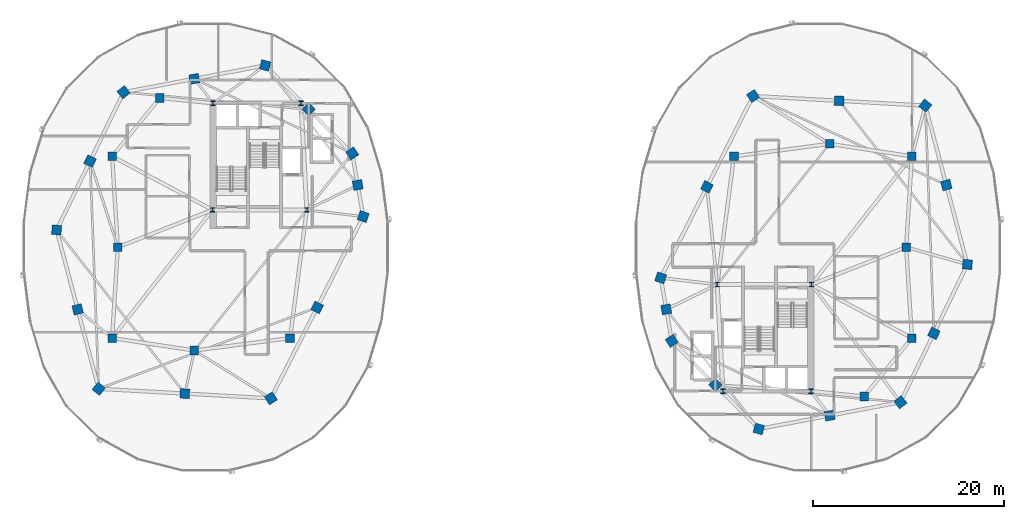
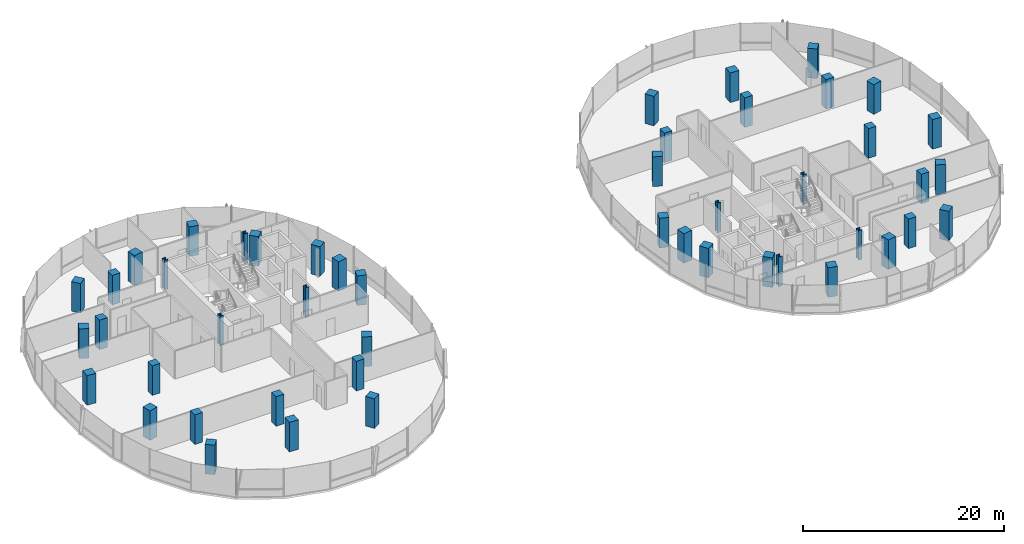
# One storey, part 1 of 22: 48 columns.
"""IFC4 building model written with IfcOpenShell, lengths in metres."""

from ifc_helpers import new_model, si_unit, direction, frame, origin, origin_2d, place, context, subcontext, project, spatial, rectangle, i_section, extrude, material, material_profile, profile_set, type_object, element, save


model = new_model("IFC4")

# Units and contexts
model_context = context("Model", 3, precision=1e-05, world=origin(), true_north=direction((0.0, 1.0)))
body_context = subcontext(model_context, "Body", "Model", "MODEL_VIEW")
ifc_project = project(units=[si_unit("LENGTHUNIT", "METRE"), si_unit("AREAUNIT", "SQUARE_METRE"), si_unit("VOLUMEUNIT", "CUBIC_METRE"), si_unit("PLANEANGLEUNIT", "RADIAN"), si_unit("MASSUNIT", "GRAM", prefix="KILO"), si_unit("THERMODYNAMICTEMPERATUREUNIT", "KELVIN"), si_unit("POWERUNIT", "WATT")], contexts=[model_context])

# Site, building, storey
site_placement = place(None, origin())
site = spatial("IfcSite", under=ifc_project, at=site_placement, CompositionType="ELEMENT")
building_placement = place(site_placement, origin())
building = spatial("IfcBuilding", under=site, at=building_placement, Name="Cundina Bronze Exchange", CompositionType="ELEMENT")
storey_placement = place(building_placement, frame((0.0, 0.0, 158.39990234375)))
storey = spatial("IfcBuildingStorey", under=building, at=storey_placement, Name="L41", CompositionType="ELEMENT", Elevation=158.39990234375)

# Columns
ifc_material_1 = material(Name="Steel ASTM A992 Grade 50", Category="steel")
ifc_material_profile_1 = material_profile(ifc_material_1, i_section(OverallWidth=0.431884765625, OverallDepth=0.498046875, WebThickness=0.0556640625, FlangeThickness=0.0888671875, FilletRadius=0.01806640625, at=origin_2d()), Name="W14X500", Category="steel")
ifc_profile_set_1 = profile_set([ifc_material_profile_1], Name="Steel ASTM A992 Grade 50")
column_type_1 = type_object("IfcColumnType", Name="COL-STL-W14A", PredefinedType="COLUMN", material=ifc_profile_set_1)
for number, where, z_axis, x_axis, name in (
    (1, (-31.300048828125, 3.89990234375, 0.0), (0.0, 0.0, 1.0), (1.0, 0.0, 0.0), "L41 Core Anchor Column W1"),
    (2, (-21.449951171875, 3.89990234375, 0.0), (0.0, 0.0, 1.0), (1.0, 0.0, 0.0), "L41 Core Anchor Column W2"),
    (3, (-22.050048828125, 15.050048828125, 0.0), (0.0, 0.0, 1.0), (1.0, 0.0, 0.0), "L41 Core Anchor Column W3"),
    (4, (-31.25, 15.050048828125, 0.0), (0.0, 0.0, 1.0), (1.0, 0.0, 0.0), "L41 Core Anchor Column W4"),
    (5, (31.300048828125, -3.89990234375, 0.0), (0.0, 0.0, 1.0), (1.0, 0.0, 0.0), "L41 Core Anchor Column E1"),
    (6, (21.449951171875, -3.89990234375, 0.0), (0.0, 0.0, 1.0), (1.0, 0.0, 0.0), "L41 Core Anchor Column E2"),
    (7, (22.050048828125, -15.050048828125, 0.0), (0.0, 0.0, 1.0), (1.0, 0.0, 0.0), "L41 Core Anchor Column E3"),
    (8, (31.25, -15.050048828125, 0.0), (0.0, 0.0, 1.0), (1.0, 0.0, 0.0), "L41 Core Anchor Column E4"),
):
    element("IfcColumn", number, at=place(storey_placement, frame(where, z_axis=z_axis, x_axis=x_axis)), inside=storey, type_object=column_type_1, Name=name, PredefinedType="COLUMN", context=body_context, shape_type="SweptSolid", body=[
        extrude(i_section(OverallWidth=0.431884765625, OverallDepth=0.498046875, WebThickness=0.0556640625, FlangeThickness=0.0888671875, FilletRadius=0.01806640625, at=origin_2d()), origin(), (0.0, 0.0, 1.0), 3.60009765625),
    ])
ifc_material_2 = material(Name="Concrete C50/60", Category="concrete")
ifc_material_profile_2 = material_profile(ifc_material_2, rectangle(XDim=1.0, YDim=1.0, at=origin_2d()), Name="RC1000X1000", Category="concrete")
ifc_profile_set_2 = profile_set([ifc_material_profile_2], Name="Concrete C50/60")
column_type_2 = type_object("IfcColumnType", Name="COL-Z3-1000", PredefinedType="COLUMN", material=ifc_profile_set_2)
for number, where, z_axis, x_axis, name in (
    (9, (-15.550048828125, 3.199951171875, 0.0), (0.0, 0.0, 1.0), (0.315152163383, 0.949041155016, 0.0), "L41 W Perimeter Column 00"),
    (10, (-16.125, 6.5, 0.0), (0.0, 0.0, 1.0), (-0.171585221787, 0.985169280715, 0.0), "L41 W Perimeter Column 01"),
    (11, (-16.699951171875, 9.800048828125, 0.0), (0.0, 0.0, 1.0), (-0.544199833495, 0.838955625301, 0.0), "L41 W Perimeter Column 02"),
    (12, (-21.25, 14.39990234375, 0.0), (0.0, 0.0, 1.0), (-0.703270634186, 0.710922228581, 0.0), "L41 W Perimeter Column 03"),
    (13, (-25.800048828125, 19.0, 0.0), (0.0, 0.0, 1.0), (-0.965970984022, 0.258650455301, 0.0), "L41 W Perimeter Column 04"),
    (14, (-33.199951171875, 17.60009765625, 0.0), (0.0, 0.0, 1.0), (-0.98258037664, -0.185838110843, 0.0), "L41 W Perimeter Column 05"),
    (15, (-40.60009765625, 16.199951171875, 0.0), (0.0, 0.0, 1.0), (-0.785100778485, -0.619368038909, 0.0), "L41 W Perimeter Column 06"),
    (16, (-44.10009765625, 9.0, 0.0), (0.0, 0.0, 1.0), (-0.437115766651, -0.899405251566, 0.0), "L41 W Perimeter Column 07"),
    (17, (-47.60009765625, 1.800048828125, 0.0), (0.0, 0.0, 1.0), (-0.083503921245, -0.996507448611, 0.0), "L41 W Perimeter Column 08"),
    (18, (-45.39990234375, -6.5, 0.0), (0.0, 0.0, 1.0), (0.256289373133, -0.966600102017, 0.0), "L41 W Perimeter Column 09"),
    (19, (-43.199951171875, -14.800048828125, 0.0), (0.0, 0.0, 1.0), (0.786288432137, -0.61785961309, 0.0), "L41 W Perimeter Column 10"),
    (20, (-34.199951171875, -15.300048828125, 0.0), (0.0, 0.0, 1.0), (0.998460188734, -0.055472980025, 0.0), "L41 W Perimeter Column 11"),
    (21, (-25.199951171875, -15.800048828125, 0.0), (0.0, 0.0, 1.0), (0.838099763533, 0.545516989988, 0.0), "L41 W Perimeter Column 12"),
    (22, (-20.375, -6.300048828125, 0.0), (0.0, 0.0, 1.0), (0.452901591366, 0.891560513111, 0.0), "L41 W Perimeter Column 13"),
    (23, (15.550048828125, -3.199951171875, 0.0), (0.0, 0.0, 1.0), (-0.315152163383, -0.949041155016, 0.0), "L41 E Perimeter Column 00"),
    (24, (16.125, -6.5, 0.0), (0.0, 0.0, 1.0), (0.171585221787, -0.985169280715, 0.0), "L41 E Perimeter Column 01"),
    (25, (16.699951171875, -9.800048828125, 0.0), (0.0, 0.0, 1.0), (0.544199833495, -0.838955625301, 0.0), "L41 E Perimeter Column 02"),
    (26, (21.25, -14.39990234375, 0.0), (0.0, 0.0, 1.0), (0.703270634186, -0.710922228581, 0.0), "L41 E Perimeter Column 03"),
    (27, (25.800048828125, -19.0, 0.0), (0.0, 0.0, 1.0), (0.965970984022, -0.258650455301, 0.0), "L41 E Perimeter Column 04"),
    (28, (33.199951171875, -17.60009765625, 0.0), (0.0, 0.0, 1.0), (0.98258037664, 0.185838110843, 0.0), "L41 E Perimeter Column 05"),
    (29, (40.60009765625, -16.199951171875, 0.0), (0.0, 0.0, 1.0), (0.785100778485, 0.619368038909, 0.0), "L41 E Perimeter Column 06"),
    (30, (44.10009765625, -9.0, 0.0), (0.0, 0.0, 1.0), (0.437115766651, 0.899405251566, 0.0), "L41 E Perimeter Column 07"),
    (31, (47.60009765625, -1.800048828125, 0.0), (0.0, 0.0, 1.0), (0.083503921245, 0.996507448611, 0.0), "L41 E Perimeter Column 08"),
    (32, (45.39990234375, 6.5, 0.0), (0.0, 0.0, 1.0), (-0.256289373133, 0.966600102017, 0.0), "L41 E Perimeter Column 09"),
    (33, (43.199951171875, 14.800048828125, 0.0), (0.0, 0.0, 1.0), (-0.786288432137, 0.61785961309, 0.0), "L41 E Perimeter Column 10"),
    (34, (34.199951171875, 15.300048828125, 0.0), (0.0, 0.0, 1.0), (-0.998460188734, 0.055472980025, 0.0), "L41 E Perimeter Column 11"),
    (35, (25.199951171875, 15.800048828125, 0.0), (0.0, 0.0, 1.0), (-0.838099763533, -0.545516989988, 0.0), "L41 E Perimeter Column 12"),
    (36, (20.375, 6.300048828125, 0.0), (0.0, 0.0, 1.0), (-0.452901591366, -0.891560513111, 0.0), "L41 E Perimeter Column 13"),
):
    element("IfcColumn", number, at=place(storey_placement, frame(where, z_axis=z_axis, x_axis=x_axis)), inside=storey, type_object=column_type_2, Name=name, PredefinedType="COLUMN", context=body_context, shape_type="SweptSolid", body=[
        extrude(rectangle(XDim=1.0, YDim=1.0, at=origin_2d()), origin(), (0.0, 0.0, 1.0), 3.60009765625),
    ])
ifc_material_profile_3 = material_profile(ifc_material_2, rectangle(XDim=0.89990234375, YDim=0.89990234375, at=origin_2d()), Name="RC900X900", Category="concrete")
ifc_profile_set_3 = profile_set([ifc_material_profile_3], Name="Concrete C50/60")
column_type_3 = type_object("IfcColumnType", Name="COL-Z4-900", PredefinedType="COLUMN", material=ifc_profile_set_3)
for number, where, z_axis, x_axis, name in (
    (37, (-41.199951171875, 0.0, 0.0), (0.0, 0.0, 1.0), (1.0, 0.0, 0.0), "L41 W Inner Ring Column 1"),
    (38, (-41.800048828125, 9.5, 0.0), (0.0, 0.0, 1.0), (1.0, 0.0, 0.0), "L41 W Inner Ring Column 2"),
    (39, (-36.800048828125, 15.60009765625, 0.0), (0.0, 0.0, 1.0), (1.0, 0.0, 0.0), "L41 W Inner Ring Column 3"),
    (40, (-41.800048828125, -9.5, 0.0), (0.0, 0.0, 1.0), (1.0, 0.0, 0.0), "L41 W Inner Ring Column 4"),
    (41, (-33.199951171875, -10.800048828125, 0.0), (0.0, 0.0, 1.0), (1.0, 0.0, 0.0), "L41 W Inner Ring Column 5"),
    (42, (-23.199951171875, -9.5, 0.0), (0.0, 0.0, 1.0), (1.0, 0.0, 0.0), "L41 W Inner Ring Column 6"),
    (43, (41.199951171875, 0.0, 0.0), (0.0, 0.0, 1.0), (1.0, 0.0, 0.0), "L41 E Inner Ring Column 1"),
    (44, (41.800048828125, -9.5, 0.0), (0.0, 0.0, 1.0), (1.0, 0.0, 0.0), "L41 E Inner Ring Column 2"),
    (45, (36.800048828125, -15.60009765625, 0.0), (0.0, 0.0, 1.0), (1.0, 0.0, 0.0), "L41 E Inner Ring Column 3"),
    (46, (41.800048828125, 9.5, 0.0), (0.0, 0.0, 1.0), (1.0, 0.0, 0.0), "L41 E Inner Ring Column 4"),
    (47, (33.199951171875, 10.800048828125, 0.0), (0.0, 0.0, 1.0), (1.0, 0.0, 0.0), "L41 E Inner Ring Column 5"),
    (48, (23.199951171875, 9.5, 0.0), (0.0, 0.0, 1.0), (1.0, 0.0, 0.0), "L41 E Inner Ring Column 6"),
):
    element("IfcColumn", number, at=place(storey_placement, frame(where, z_axis=z_axis, x_axis=x_axis)), inside=storey, type_object=column_type_3, Name=name, PredefinedType="COLUMN", context=body_context, shape_type="SweptSolid", body=[
        extrude(rectangle(XDim=0.89990234375, YDim=0.89990234375, at=origin_2d()), origin(), (0.0, 0.0, 1.0), 3.60009765625),
    ])

save(model, "model.ifc")
